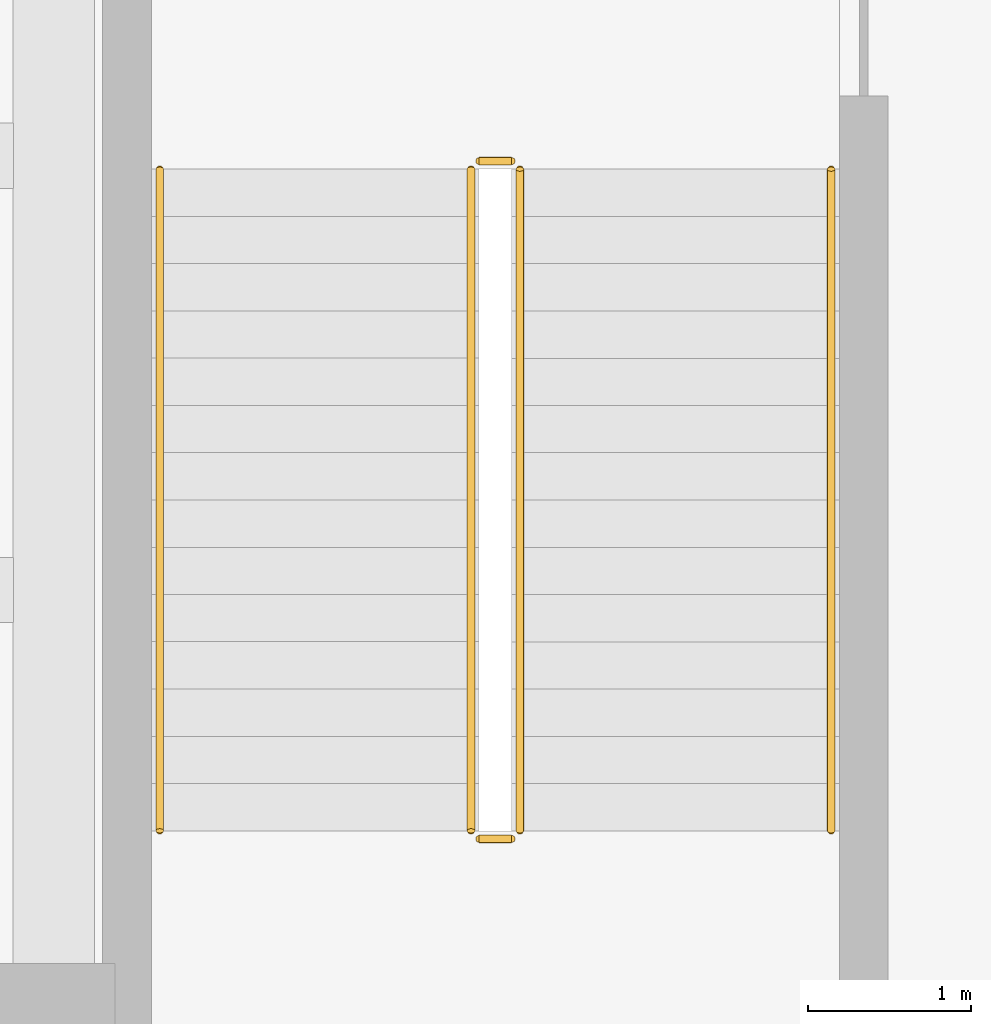
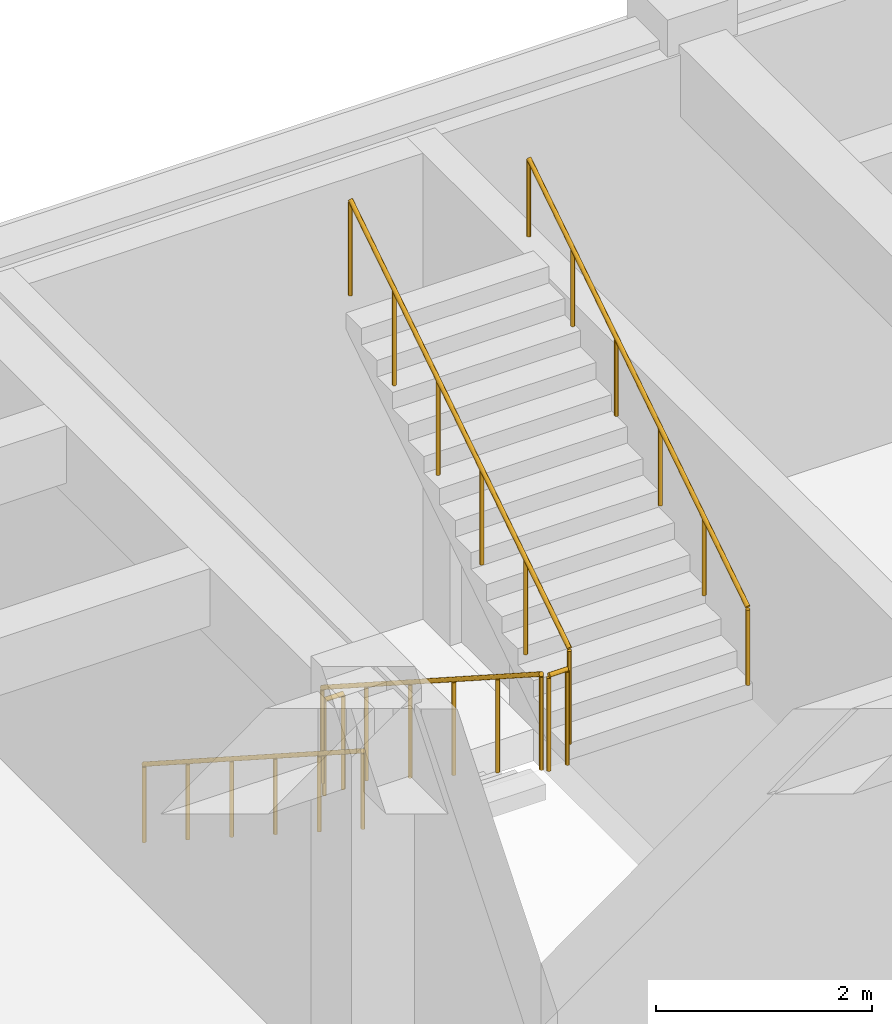
# One storey, part 18 of 19: 6 railings.
"""IFC4 building model written with IfcOpenShell, lengths in metres."""

from ifc_helpers import new_model, si_unit, direction, frame, origin, origin_2d, place, context, subcontext, project, spatial, circle, extrude, material, type_object, element, save


model = new_model("IFC4")

# Units and contexts
model_context = context("Model", 3, precision=1e-05, world=origin(), true_north=direction((0.0, 1.0)))
body_context = subcontext(model_context, "Body", "Model", "MODEL_VIEW")
ifc_project = project(units=[si_unit("LENGTHUNIT", "METRE"), si_unit("AREAUNIT", "SQUARE_METRE"), si_unit("VOLUMEUNIT", "CUBIC_METRE"), si_unit("PLANEANGLEUNIT", "RADIAN"), si_unit("MASSUNIT", "GRAM", prefix="KILO")], contexts=[model_context])

# Site, building, storey
site_placement = place(None, origin())
site = spatial("IfcSite", under=ifc_project, at=site_placement, CompositionType="ELEMENT")
building_placement = place(site_placement, origin())
building = spatial("IfcBuilding", under=site, at=building_placement, Name="Drelvath Fold Interchange", CompositionType="ELEMENT")
storey_placement = place(building_placement, frame((0.0, 0.0, -5.60009765625)))
storey = spatial("IfcBuildingStorey", under=building, at=storey_placement, Name="B1", CompositionType="ELEMENT", Elevation=-5.60009765625)

# Railings
ifc_material = material(Name="Stainless Steel 316L", Category="steel")
railing_type_1 = type_object("IfcRailingType", Name="RL-GRD1100", PredefinedType="GUARDRAIL", material=ifc_material)
railing_1_placement = place(storey_placement, frame((70.56005859375, 96.25, 0.186767578125)))
element("IfcRailing", 1, at=railing_1_placement, inside=storey, type_object=railing_type_1, Name="B1 ST-06 stair guard 1", PredefinedType="GUARDRAIL", context=body_context, shape_type="SweptSolid", body=[
    extrude(circle(Radius=0.02392578125, at=origin_2d()), frame((0.0, 0.0, 1.076171875), z_axis=(0.0, -0.840872768958, 0.541232839382), x_axis=(1.0, 0.0, 0.0)), (0.0, 0.0, 1.0), 4.828369140625),
    extrude(circle(Radius=0.02099609375, at=origin_2d()), origin(), (0.0, 0.0, 1.0), 1.052001953125),
    extrude(circle(Radius=0.02099609375, at=origin_2d()), frame((0.0, -0.81201171875, 0.522705078125)), (0.0, 0.0, 1.0), 1.052001953125),
    extrude(circle(Radius=0.02099609375, at=origin_2d()), frame((0.0, -1.6240234375, 1.04541015625)), (0.0, 0.0, 1.0), 1.052001953125),
    extrude(circle(Radius=0.02099609375, at=origin_2d()), frame((0.0, -2.43603515625, 1.56787109375)), (0.0, 0.0, 1.0), 1.052001953125),
    extrude(circle(Radius=0.02099609375, at=origin_2d()), frame((0.0, -3.248046875, 2.090576171875)), (0.0, 0.0, 1.0), 1.052001953125),
    extrude(circle(Radius=0.02099609375, at=origin_2d()), frame((0.0, -4.06005859375, 2.61328125)), (0.0, 0.0, 1.0), 1.052001953125),
])
railing_2_placement = place(storey_placement, frame((70.610107421875, 92.139892578125, 2.800048828125)))
element("IfcRailing", 2, at=railing_2_placement, inside=storey, type_object=railing_type_1, Name="B1 ST-06 stair guard 2", PredefinedType="GUARDRAIL", context=body_context, shape_type="SweptSolid", body=[
    extrude(circle(Radius=0.02392578125, at=origin_2d()), frame((0.0, 0.0, 1.076171875), z_axis=(1.0, 0.0, 0.0), x_axis=(0.0, 1.0, 0.0)), (0.0, 0.0, 1.0), 0.199951171875),
    extrude(circle(Radius=0.02099609375, at=origin_2d()), origin(), (0.0, 0.0, 1.0), 1.052001953125),
    extrude(circle(Radius=0.02099609375, at=origin_2d()), frame((0.199951171875, 0.0, 0.0)), (0.0, 0.0, 1.0), 1.052001953125),
])
railing_3_placement = place(storey_placement, frame((70.860107421875, 92.18994140625, 2.98681640625)))
element("IfcRailing", 3, at=railing_3_placement, inside=storey, type_object=railing_type_1, Name="B1 ST-06 stair guard 3", PredefinedType="GUARDRAIL", context=body_context, shape_type="SweptSolid", body=[
    extrude(circle(Radius=0.02392578125, at=origin_2d()), frame((0.0, 0.0, 1.076171875), z_axis=(0.0, 0.840872768958, 0.541232839382), x_axis=(-1.0, 0.0, 0.0)), (0.0, 0.0, 1.0), 4.828369140625),
    extrude(circle(Radius=0.02099609375, at=origin_2d()), origin(), (0.0, 0.0, 1.0), 1.052001953125),
    extrude(circle(Radius=0.02099609375, at=origin_2d()), frame((0.0, 0.81201171875, 0.522705078125)), (0.0, 0.0, 1.0), 1.052001953125),
    extrude(circle(Radius=0.02099609375, at=origin_2d()), frame((0.0, 1.6240234375, 1.04541015625)), (0.0, 0.0, 1.0), 1.052001953125),
    extrude(circle(Radius=0.02099609375, at=origin_2d()), frame((0.0, 2.43603515625, 1.56787109375)), (0.0, 0.0, 1.0), 1.052001953125),
    extrude(circle(Radius=0.02099609375, at=origin_2d()), frame((0.0, 3.248046875, 2.090576171875)), (0.0, 0.0, 1.0), 1.052001953125),
    extrude(circle(Radius=0.02099609375, at=origin_2d()), frame((0.0, 4.06005859375, 2.61328125)), (0.0, 0.0, 1.0), 1.052001953125),
])
railing_4_placement = place(storey_placement, frame((70.610107421875, 96.300048828125, 0.0)))
element("IfcRailing", 4, at=railing_4_placement, inside=storey, type_object=railing_type_1, Name="B1 ST-06 stair guard 4", PredefinedType="GUARDRAIL", context=body_context, shape_type="SweptSolid", body=[
    extrude(circle(Radius=0.02392578125, at=origin_2d()), frame((0.0, 0.0, 1.076171875), z_axis=(1.0, 0.0, 0.0), x_axis=(0.0, 1.0, 0.0)), (0.0, 0.0, 1.0), 0.199951171875),
    extrude(circle(Radius=0.02099609375, at=origin_2d()), origin(), (0.0, 0.0, 1.0), 1.052001953125),
    extrude(circle(Radius=0.02099609375, at=origin_2d()), frame((0.199951171875, 0.0, 0.0)), (0.0, 0.0, 1.0), 1.052001953125),
])
railing_type_2 = type_object("IfcRailingType", Name="RL-HND920", PredefinedType="HANDRAIL", material=ifc_material)
railing_5_placement = place(storey_placement, frame((68.64990234375, 96.25, 0.186767578125)))
element("IfcRailing", 5, at=railing_5_placement, inside=storey, type_object=railing_type_2, Name="B1 ST-06 stair handrail 1", PredefinedType="HANDRAIL", context=body_context, shape_type="SweptSolid", body=[
    extrude(circle(Radius=0.02392578125, at=origin_2d()), frame((0.0, 0.0, 0.8759765625), z_axis=(0.0, -0.840872768958, 0.541232839382), x_axis=(1.0, 0.0, 0.0)), (0.0, 0.0, 1.0), 4.828369140625),
    extrude(circle(Radius=0.02099609375, at=origin_2d()), origin(), (0.0, 0.0, 1.0), 0.851806640625),
    extrude(circle(Radius=0.02099609375, at=origin_2d()), frame((0.0, -0.81201171875, 0.522705078125)), (0.0, 0.0, 1.0), 0.851806640625),
    extrude(circle(Radius=0.02099609375, at=origin_2d()), frame((0.0, -1.6240234375, 1.04541015625)), (0.0, 0.0, 1.0), 0.851806640625),
    extrude(circle(Radius=0.02099609375, at=origin_2d()), frame((0.0, -2.43603515625, 1.56787109375)), (0.0, 0.0, 1.0), 0.851806640625),
    extrude(circle(Radius=0.02099609375, at=origin_2d()), frame((0.0, -3.248046875, 2.090576171875)), (0.0, 0.0, 1.0), 0.851806640625),
    extrude(circle(Radius=0.02099609375, at=origin_2d()), frame((0.0, -4.06005859375, 2.61328125)), (0.0, 0.0, 1.0), 0.851806640625),
])
railing_6_placement = place(storey_placement, frame((72.77001953125, 92.18994140625, 2.98681640625)))
element("IfcRailing", 6, at=railing_6_placement, inside=storey, type_object=railing_type_2, Name="B1 ST-06 stair handrail 2", PredefinedType="HANDRAIL", context=body_context, shape_type="SweptSolid", body=[
    extrude(circle(Radius=0.02392578125, at=origin_2d()), frame((0.0, 0.0, 0.8759765625), z_axis=(0.0, 0.840872768958, 0.541232839382), x_axis=(-1.0, 0.0, 0.0)), (0.0, 0.0, 1.0), 4.828369140625),
    extrude(circle(Radius=0.02099609375, at=origin_2d()), origin(), (0.0, 0.0, 1.0), 0.851806640625),
    extrude(circle(Radius=0.02099609375, at=origin_2d()), frame((0.0, 0.81201171875, 0.522705078125)), (0.0, 0.0, 1.0), 0.851806640625),
    extrude(circle(Radius=0.02099609375, at=origin_2d()), frame((0.0, 1.6240234375, 1.04541015625)), (0.0, 0.0, 1.0), 0.851806640625),
    extrude(circle(Radius=0.02099609375, at=origin_2d()), frame((0.0, 2.43603515625, 1.56787109375)), (0.0, 0.0, 1.0), 0.851806640625),
    extrude(circle(Radius=0.02099609375, at=origin_2d()), frame((0.0, 3.248046875, 2.090576171875)), (0.0, 0.0, 1.0), 0.851806640625),
    extrude(circle(Radius=0.02099609375, at=origin_2d()), frame((0.0, 4.06005859375, 2.61328125)), (0.0, 0.0, 1.0), 0.851806640625),
])

save(model, "model.ifc")
